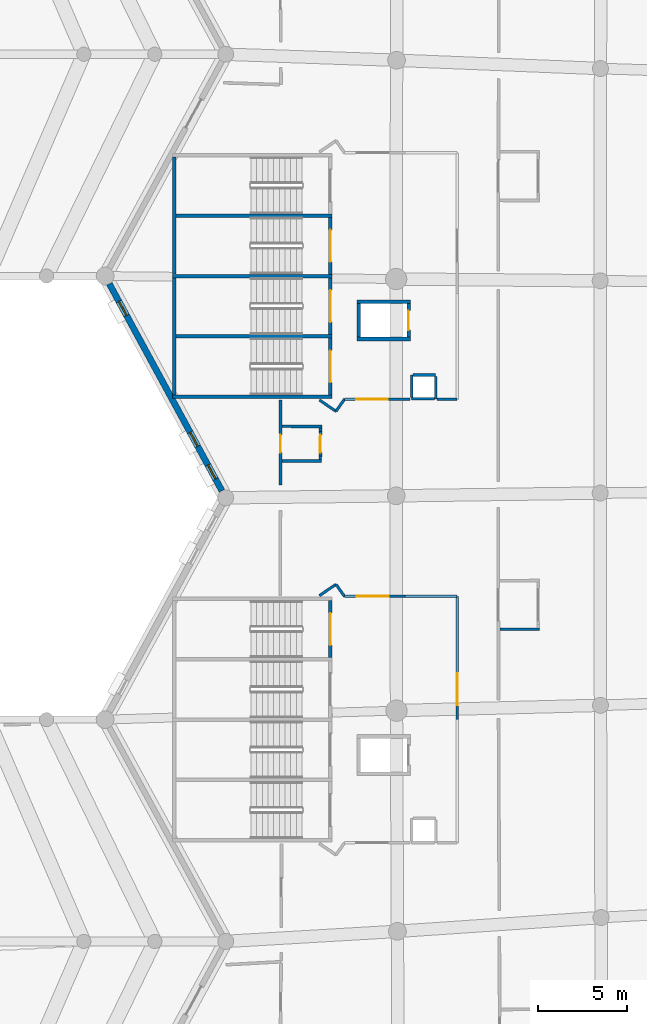
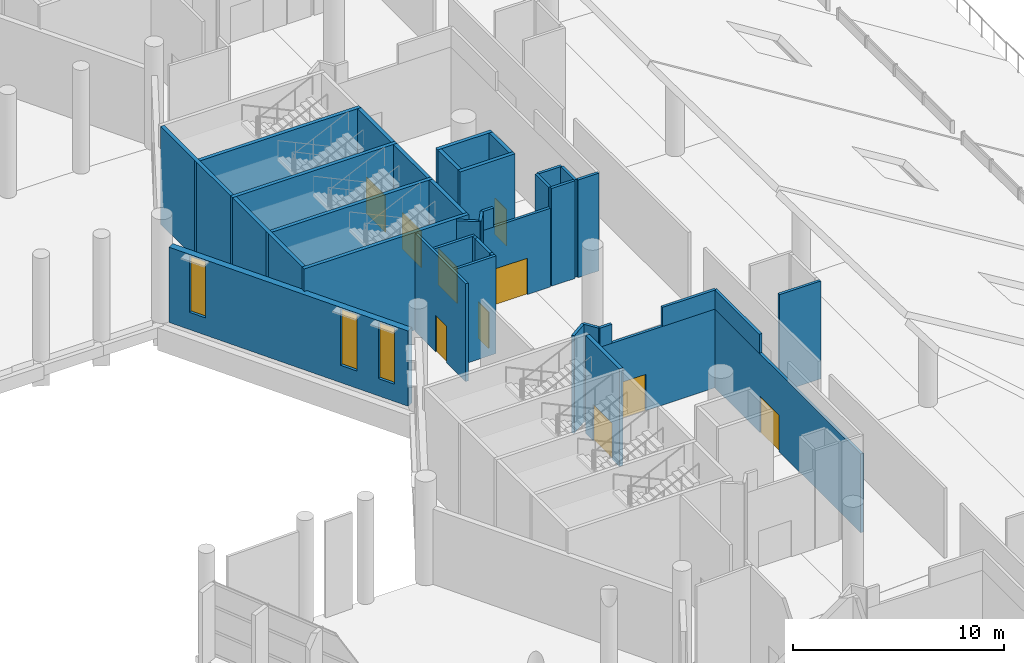
# One storey, part 146 of 249: 38 walls, 10 doors, 3 windows, 13 openings.
"""IFC4 building model written with IfcOpenShell, lengths in metres."""

from ifc_helpers import new_model, si_unit, direction, frame, frame_2d, origin, place, context, subcontext, project, spatial, rectangle, extrude, material, layer, layer_set, type_object, element, fill, save


model = new_model("IFC4")

# Units and contexts
model_context = context("Model", 3, precision=1e-05, world=origin(), true_north=direction((0.0, 1.0)))
body_context = subcontext(model_context, "Body", "Model", "MODEL_VIEW")
ifc_project = project(units=[si_unit("LENGTHUNIT", "METRE"), si_unit("AREAUNIT", "SQUARE_METRE"), si_unit("VOLUMEUNIT", "CUBIC_METRE"), si_unit("PLANEANGLEUNIT", "RADIAN"), si_unit("MASSUNIT", "GRAM", prefix="KILO")], contexts=[model_context])

# Site, building, storey
site_placement = place(None, origin())
site = spatial("IfcSite", under=ifc_project, at=site_placement, CompositionType="ELEMENT")
building_placement = place(site_placement, origin())
building = spatial("IfcBuilding", under=site, at=building_placement, Name="Meseta Stadium", CompositionType="ELEMENT")
storey_placement = place(building_placement, frame((0.0, 0.0, 12.0)))
storey = spatial("IfcBuildingStorey", under=building, at=storey_placement, Name="L02", CompositionType="ELEMENT", Elevation=12.0)

# Walls
ifc_material_1 = material(Name="Concrete C40/50", Category="concrete")
ifc_layer_1 = layer(ifc_material_1, 0.199951171875)
ifc_layer_set_1 = layer_set([ifc_layer_1], Name="Core divider wall 200")
wall_type_1 = type_object("IfcWallType", Name="Core divider wall 200", PredefinedType="SHEAR", material=ifc_layer_set_1)
for number, where, z_axis, x_axis, name in (
    (1, (-97.60009765625, 9.64990234375, 0.0), (0.0, 0.0, 1.0), (1.0, 0.0, 0.0), "Core 17 L02 stair A divider wall"),
    (2, (-97.60009765625, 2.85009765625, 0.0), (0.0, 0.0, 1.0), (1.0, 0.0, 0.0), "Core 17 L02 stair B divider wall"),
):
    element("IfcWall", number, at=place(storey_placement, frame(where, z_axis=z_axis, x_axis=x_axis)), inside=storey, type_object=wall_type_1, Name=name, PredefinedType="SHEAR", context=body_context, shape_type="SweptSolid", body=[
        extrude(rectangle(XDim=9.0, YDim=0.199951171875, at=frame_2d((4.5, 0.0))), origin(), (0.0, 0.0, 1.0), 5.64990234375),
    ])
ifc_material_2 = material(Name="Concrete C40/50", Category="concrete")
ifc_layer_2 = layer(ifc_material_2, 0.199951171875)
ifc_layer_set_2 = layer_set([ifc_layer_2], Name="Core shaft wall 200")
wall_type_2 = type_object("IfcWallType", Name="Core shaft wall 200", PredefinedType="SHEAR", material=ifc_layer_set_2)
for number, where, z_axis, x_axis, name in (
    (3, (-97.60009765625, 6.25, 0.0), (0.0, 0.0, 1.0), (1.0, 0.0, 0.0), "Core 17 L02 stair wall shared"),
    (4, (-97.60009765625, -0.550048828125, 0.0), (0.0, 0.0, 1.0), (1.0, 0.0, 0.0), "Core 17 L02 stair wall B-side"),
):
    element("IfcWall", number, at=place(storey_placement, frame(where, z_axis=z_axis, x_axis=x_axis)), inside=storey, type_object=wall_type_2, Name=name, PredefinedType="SHEAR", context=body_context, shape_type="SweptSolid", body=[
        extrude(rectangle(XDim=9.0, YDim=0.199951171875, at=frame_2d((4.5, 0.0))), origin(), (0.0, 0.0, 1.0), 5.64990234375),
    ])
for number, where, z_axis, x_axis, name in (
    (5, (-97.5, 12.949951171875, 0.0), (0.0, 0.0, 1.0), (0.0, -1.0, 0.0), "Core 17 L02 stair A outer end wall"),
    (6, (-97.5, 6.14990234375, 0.0), (0.0, 0.0, 1.0), (0.0, -1.0, 0.0), "Core 17 L02 stair B outer end wall"),
):
    element("IfcWall", number, at=place(storey_placement, frame(where, z_axis=z_axis, x_axis=x_axis)), inside=storey, type_object=wall_type_2, Name=name, PredefinedType="SHEAR", context=body_context, shape_type="SweptSolid", body=[
        extrude(rectangle(XDim=6.599853515625, YDim=0.199951171875, at=frame_2d((3.2998046875, 0.0))), origin(), (0.0, 0.0, 1.0), 5.64990234375),
    ])

# Wall, opening, door
wall_1_placement = place(storey_placement, frame((-88.699951171875, 9.550048828125, 0.0), z_axis=(0.0, 0.0, 1.0), x_axis=(0.0, -1.0, 0.0)))
wall_1 = element("IfcWall", 7, at=wall_1_placement, inside=storey, type_object=wall_type_2, Name="Core 17 L02 stair A2 inner end wall", PredefinedType="SHEAR", context=body_context, shape_type="SweptSolid", body=[
    extrude(rectangle(XDim=3.199951171875, YDim=0.199951171875, at=frame_2d((1.60009765625, 0.0))), origin(), (0.0, 0.0, 1.0), 5.64990234375),
])
opening_1_placement = place(wall_1_placement, frame((0.699951171875, 0.0, 0.0)))
opening_1 = element("IfcOpeningElement", 8, at=opening_1_placement, cuts=wall_1, Name="Opening D238", PredefinedType="OPENING", context=body_context, shape_type="SweptSolid", body=[
    extrude(rectangle(XDim=1.800048828125, YDim=2.10009765625, at=frame_2d((0.89990234375, 1.050048828125))), frame((0.0, 0.10986328125, 0.0), z_axis=(0.0, -1.0, 0.0), x_axis=(1.0, 0.0, 0.0)), (0.0, 0.0, 1.0), 0.219970703125),
])
ifc_material_3 = material(Name="Steel", Category="steel")
door_type_1 = type_object("IfcDoorType", Name="Stair door 1800x2100", OperationType="DOUBLE_DOOR_SINGLE_SWING", PredefinedType="DOOR", material=ifc_material_3)
door_1_placement = place(opening_1_placement, origin())
door_1 = element("IfcDoor", 9, at=door_1_placement, inside=storey, type_object=door_type_1, Name="Stair A2 door 17 L02", OperationType="DOUBLE_DOOR_SINGLE_SWING", OverallHeight=2.10009765625, OverallWidth=1.800048828125, PredefinedType="DOOR", context=body_context, shape_type="SweptSolid", body=[
    extrude(rectangle(XDim=1.800048828125, YDim=2.10009765625, at=frame_2d((0.89990234375, 1.050048828125))), frame((0.0, 0.02490234375, 0.0), z_axis=(0.0, -1.0, 0.0), x_axis=(1.0, 0.0, 0.0)), (0.0, 0.0, 1.0), 0.050048828125),
])
fill(opening_1, door_1)

wall_2_placement = place(storey_placement, frame((-88.699951171875, 6.14990234375, 0.0), z_axis=(0.0, 0.0, 1.0), x_axis=(0.0, -1.0, 0.0)))
wall_2 = element("IfcWall", 10, at=wall_2_placement, inside=storey, type_object=wall_type_2, Name="Core 17 L02 stair B1 inner end wall", PredefinedType="SHEAR", context=body_context, shape_type="SweptSolid", body=[
    extrude(rectangle(XDim=3.199951171875, YDim=0.199951171875, at=frame_2d((1.60009765625, 0.0))), origin(), (0.0, 0.0, 1.0), 5.64990234375),
])
opening_2_placement = place(wall_2_placement, frame((0.699951171875, 0.0, 0.0)))
opening_2 = element("IfcOpeningElement", 11, at=opening_2_placement, cuts=wall_2, Name="Opening D239", PredefinedType="OPENING", context=body_context, shape_type="SweptSolid", body=[
    extrude(rectangle(XDim=1.800048828125, YDim=2.10009765625, at=frame_2d((0.89990234375, 1.050048828125))), frame((0.0, 0.10986328125, 0.0), z_axis=(0.0, -1.0, 0.0), x_axis=(1.0, 0.0, 0.0)), (0.0, 0.0, 1.0), 0.219970703125),
])
door_2_placement = place(opening_2_placement, origin())
door_2 = element("IfcDoor", 12, at=door_2_placement, inside=storey, type_object=door_type_1, Name="Stair B1 door 17 L02", OperationType="DOUBLE_DOOR_SINGLE_SWING", OverallHeight=2.10009765625, OverallWidth=1.800048828125, PredefinedType="DOOR", context=body_context, shape_type="SweptSolid", body=[
    extrude(rectangle(XDim=1.800048828125, YDim=2.10009765625, at=frame_2d((0.89990234375, 1.050048828125))), frame((0.0, 0.02490234375, 0.0), z_axis=(0.0, -1.0, 0.0), x_axis=(1.0, 0.0, 0.0)), (0.0, 0.0, 1.0), 0.050048828125),
])
fill(opening_2, door_2)

wall_3_placement = place(storey_placement, frame((-88.699951171875, 2.75, 0.0), z_axis=(0.0, 0.0, 1.0), x_axis=(0.0, -1.0, 0.0)))
wall_3 = element("IfcWall", 13, at=wall_3_placement, inside=storey, type_object=wall_type_2, Name="Core 17 L02 stair B2 inner end wall", PredefinedType="SHEAR", context=body_context, shape_type="SweptSolid", body=[
    extrude(rectangle(XDim=3.199951171875, YDim=0.199951171875, at=frame_2d((1.60009765625, 0.0))), origin(), (0.0, 0.0, 1.0), 5.64990234375),
])
opening_3_placement = place(wall_3_placement, frame((0.699951171875, 0.0, 0.0)))
opening_3 = element("IfcOpeningElement", 14, at=opening_3_placement, cuts=wall_3, Name="Opening D240", PredefinedType="OPENING", context=body_context, shape_type="SweptSolid", body=[
    extrude(rectangle(XDim=1.800048828125, YDim=2.10009765625, at=frame_2d((0.89990234375, 1.050048828125))), frame((0.0, 0.10986328125, 0.0), z_axis=(0.0, -1.0, 0.0), x_axis=(1.0, 0.0, 0.0)), (0.0, 0.0, 1.0), 0.219970703125),
])
door_3_placement = place(opening_3_placement, origin())
door_3 = element("IfcDoor", 15, at=door_3_placement, inside=storey, type_object=door_type_1, Name="Stair B2 door 17 L02", OperationType="DOUBLE_DOOR_SINGLE_SWING", OverallHeight=2.10009765625, OverallWidth=1.800048828125, PredefinedType="DOOR", context=body_context, shape_type="SweptSolid", body=[
    extrude(rectangle(XDim=1.800048828125, YDim=2.10009765625, at=frame_2d((0.89990234375, 1.050048828125))), frame((0.0, 0.02490234375, 0.0), z_axis=(0.0, -1.0, 0.0), x_axis=(1.0, 0.0, 0.0)), (0.0, 0.0, 1.0), 0.050048828125),
])
fill(opening_3, door_3)

# Walls
for number, where, z_axis, x_axis, name in (
    (16, (-87.199951171875, 4.800048828125, 0.0), (0.0, 0.0, 1.0), (1.0, 0.0, 0.0), "Core 17 L02 lift shaft wall left"),
    (17, (-87.199951171875, 2.699951171875, 0.0), (0.0, 0.0, 1.0), (1.0, 0.0, 0.0), "Core 17 L02 lift shaft wall right"),
):
    element("IfcWall", number, at=place(storey_placement, frame(where, z_axis=z_axis, x_axis=x_axis)), inside=storey, type_object=wall_type_2, Name=name, PredefinedType="SHEAR", context=body_context, shape_type="SweptSolid", body=[
        extrude(rectangle(XDim=3.0, YDim=0.199951171875, at=frame_2d((1.5, 0.0))), origin(), (0.0, 0.0, 1.0), 5.64990234375),
    ])
wall_4_placement = place(storey_placement, frame((-87.10009765625, 4.699951171875, 0.0), z_axis=(0.0, 0.0, 1.0), x_axis=(0.0, -1.0, 0.0)))
element("IfcWall", 18, at=wall_4_placement, inside=storey, type_object=wall_type_2, Name="Core 17 L02 lift shaft back wall", PredefinedType="SHEAR", context=body_context, shape_type="SweptSolid", body=[
    extrude(rectangle(XDim=1.89990234375, YDim=0.199951171875, at=frame_2d((0.949951171875, 0.0))), origin(), (0.0, 0.0, 1.0), 5.64990234375),
])

# Wall, opening, door
wall_5_placement = place(storey_placement, frame((-84.300048828125, 4.699951171875, 0.0), z_axis=(0.0, 0.0, 1.0), x_axis=(0.0, -1.0, 0.0)))
wall_5 = element("IfcWall", 19, at=wall_5_placement, inside=storey, type_object=wall_type_2, Name="Core 17 L02 lift shaft front wall", PredefinedType="SHEAR", context=body_context, shape_type="SweptSolid", body=[
    extrude(rectangle(XDim=1.89990234375, YDim=0.199951171875, at=frame_2d((0.949951171875, 0.0))), origin(), (0.0, 0.0, 1.0), 5.64990234375),
])
opening_4_placement = place(wall_5_placement, frame((0.39990234375, 0.0, 0.0)))
opening_4 = element("IfcOpeningElement", 20, at=opening_4_placement, cuts=wall_5, Name="Opening LD94", PredefinedType="OPENING", context=body_context, shape_type="SweptSolid", body=[
    extrude(rectangle(XDim=1.10009765625, YDim=2.10009765625, at=frame_2d((0.550048828125, 1.050048828125))), frame((0.0, 0.10986328125, 0.0), z_axis=(0.0, -1.0, 0.0), x_axis=(1.0, 0.0, 0.0)), (0.0, 0.0, 1.0), 0.219970703125),
])
ifc_material_4 = material(Name="Steel", Category="steel")
door_type_2 = type_object("IfcDoorType", Name="Lift landing door 1100x2100", OperationType="SLIDING_TO_LEFT", PredefinedType="DOOR", material=ifc_material_4)
door_4_placement = place(opening_4_placement, origin())
door_4 = element("IfcDoor", 21, at=door_4_placement, inside=storey, type_object=door_type_2, Name="Lift landing door LD94", OperationType="SLIDING_TO_RIGHT", OverallHeight=2.10009765625, OverallWidth=1.10009765625, PredefinedType="DOOR", context=body_context, shape_type="SweptSolid", body=[
    extrude(rectangle(XDim=1.10009765625, YDim=2.10009765625, at=frame_2d((0.550048828125, 1.050048828125))), frame((0.0, 0.02490234375, 0.0), z_axis=(0.0, -1.0, 0.0), x_axis=(1.0, 0.0, 0.0)), (0.0, 0.0, 1.0), 0.050048828125),
])
fill(opening_4, door_4)

wall_6_placement = place(storey_placement, frame((-88.699951171875, -12.050048828125, 0.0), z_axis=(0.0, 0.0, 1.0), x_axis=(0.0, -1.0, 0.0)))
wall_6 = element("IfcWall", 22, at=wall_6_placement, inside=storey, type_object=wall_type_2, Name="Core 18 L02 stair A1 inner end wall", PredefinedType="SHEAR", context=body_context, shape_type="SweptSolid", body=[
    extrude(rectangle(XDim=3.199951171875, YDim=0.199951171875, at=frame_2d((1.60009765625, 0.0))), origin(), (0.0, 0.0, 1.0), 5.64990234375),
])
opening_5_placement = place(wall_6_placement, frame((0.699951171875, 0.0, 0.0)))
opening_5 = element("IfcOpeningElement", 23, at=opening_5_placement, cuts=wall_6, Name="Opening D253", PredefinedType="OPENING", context=body_context, shape_type="SweptSolid", body=[
    extrude(rectangle(XDim=1.800048828125, YDim=2.10009765625, at=frame_2d((0.89990234375, 1.050048828125))), frame((0.0, 0.10986328125, 0.0), z_axis=(0.0, -1.0, 0.0), x_axis=(1.0, 0.0, 0.0)), (0.0, 0.0, 1.0), 0.219970703125),
])
door_5_placement = place(opening_5_placement, origin())
door_5 = element("IfcDoor", 24, at=door_5_placement, inside=storey, type_object=door_type_1, Name="Stair A1 door 18 L02", OperationType="DOUBLE_DOOR_SINGLE_SWING", OverallHeight=2.10009765625, OverallWidth=1.800048828125, PredefinedType="DOOR", context=body_context, shape_type="SweptSolid", body=[
    extrude(rectangle(XDim=1.800048828125, YDim=2.10009765625, at=frame_2d((0.89990234375, 1.050048828125))), frame((0.0, 0.02490234375, 0.0), z_axis=(0.0, -1.0, 0.0), x_axis=(1.0, 0.0, 0.0)), (0.0, 0.0, 1.0), 0.050048828125),
])
fill(opening_5, door_5)

ifc_material_5 = material(Name="Masonry blockwork", Category="masonry")
ifc_layer_3 = layer(ifc_material_5, 0.14990234375)
ifc_layer_set_3 = layer_set([ifc_layer_3], Name="Partition 150")
wall_type_3 = type_object("IfcWallType", Name="Partition 150", PredefinedType="PARTITIONING", material=ifc_layer_set_3)
wall_7_placement = place(storey_placement, frame((-91.51171875, -0.75, 0.0), z_axis=(0.0, 0.0, 1.0), x_axis=(-0.001174067593, -0.999999310782, 0.0)))
wall_7 = element("IfcWall", 25, at=wall_7_placement, inside=storey, type_object=wall_type_3, Name="Partition L02 L02-cell16-2-0", PredefinedType="PARTITIONING", context=body_context, shape_type="SweptSolid", body=[
    extrude(rectangle(XDim=4.78271484375, YDim=0.14990234375, at=frame_2d((2.391357421875, 0.0))), origin(), (0.0, 0.0, 1.0), 5.64990234375),
])
opening_6_placement = place(wall_7_placement, frame((1.949951171875, 0.0, 0.0)))
opening_6 = element("IfcOpeningElement", 26, at=opening_6_placement, cuts=wall_7, Name="Opening D707", PredefinedType="OPENING", context=body_context, shape_type="SweptSolid", body=[
    extrude(rectangle(XDim=1.0, YDim=2.10009765625, at=frame_2d((0.5, 1.050048828125))), frame((0.0, 0.0849609375, 0.0), z_axis=(0.0, -1.0, 0.0), x_axis=(1.0, 0.0, 0.0)), (0.0, 0.0, 1.0), 0.169921875),
])
ifc_material_6 = material(Name="Steel", Category="steel")
door_type_3 = type_object("IfcDoorType", Name="Fire door 1000x2100 EI2 120", OperationType="NOTDEFINED", PredefinedType="DOOR", material=ifc_material_6)
door_6_placement = place(opening_6_placement, origin())
door_6 = element("IfcDoor", 27, at=door_6_placement, inside=storey, type_object=door_type_3, Name="Door D707", OperationType="SINGLE_SWING_LEFT", OverallHeight=2.10009765625, OverallWidth=1.0, PredefinedType="DOOR", context=body_context, shape_type="SweptSolid", body=[
    extrude(rectangle(XDim=1.0, YDim=2.10009765625, at=frame_2d((0.5, 1.050048828125))), frame((0.0, 0.02490234375, 0.0), z_axis=(0.0, -1.0, 0.0), x_axis=(1.0, 0.0, 0.0)), (0.0, 0.0, 1.0), 0.050048828125),
])
fill(opening_6, door_6)

# Walls
wall_8_placement = place(storey_placement, frame((-84.125, 0.675048828125, 0.0), z_axis=(0.0, 0.0, 1.0), x_axis=(0.0, -1.0, 0.0)))
element("IfcWall", 28, at=wall_8_placement, inside=storey, type_object=wall_type_3, Name="Pressurisation shaft wall L02 core 17", PredefinedType="PARTITIONING", context=body_context, shape_type="SweptSolid", body=[
    extrude(rectangle(XDim=1.275146484375, YDim=0.14990234375, at=frame_2d((0.6376953125, 0.0))), origin(), (0.0, 0.0, 1.0), 5.64990234375),
])
wall_9_placement = place(storey_placement, frame((-84.125, -0.675048828125, 0.0), z_axis=(0.0, 0.0, 1.0), x_axis=(1.0, 0.0, 0.0)))
element("IfcWall", 29, at=wall_9_placement, inside=storey, type_object=wall_type_3, Name="Pressurisation shaft wall L02 core 17", PredefinedType="PARTITIONING", context=body_context, shape_type="SweptSolid", body=[
    extrude(rectangle(XDim=1.27490234375, YDim=0.14990234375, at=frame_2d((0.637451171875, 0.0))), origin(), (0.0, 0.0, 1.0), 5.64990234375),
])
for number, where, z_axis, x_axis, name in (
    (30, (-82.77490234375, -0.675048828125, 0.0), (0.0, 0.0, 1.0), (0.0, 1.0, 0.0), "Pressurisation shaft wall L02 core 17"),
    (31, (-82.77490234375, 0.675048828125, 0.0), (0.0, 0.0, 1.0), (-1.0, 0.0, 0.0), "Pressurisation shaft wall L02 core 17"),
):
    element("IfcWall", number, at=place(storey_placement, frame(where, z_axis=z_axis, x_axis=x_axis)), inside=storey, type_object=wall_type_3, Name=name, PredefinedType="PARTITIONING", context=body_context, shape_type="SweptSolid", body=[
        extrude(rectangle(XDim=1.275146484375, YDim=0.14990234375, at=frame_2d((0.6376953125, 0.0))), origin(), (0.0, 0.0, 1.0), 5.64990234375),
    ])
wall_10_placement = place(storey_placement, frame((-89.31982421875, -0.739501953125, 0.0), z_axis=(0.0, 0.0, 1.0), x_axis=(0.826749248939, -0.562570599462, 0.0)))
element("IfcWall", 32, at=wall_10_placement, inside=storey, type_object=wall_type_3, Name="Stair vestibule wall L02 core 17", PredefinedType="PARTITIONING", context=body_context, shape_type="SweptSolid", body=[
    extrude(rectangle(XDim=1.12744140625, YDim=0.14990234375, at=frame_2d((0.563720703125, 0.0))), origin(), (0.0, 0.0, 1.0), 5.64990234375),
])
wall_11_placement = place(storey_placement, frame((-88.3876953125, -1.373779296875, 0.0), z_axis=(0.0, 0.0, 1.0), x_axis=(0.5761634622, 0.817334487726, 0.0)))
element("IfcWall", 33, at=wall_11_placement, inside=storey, type_object=wall_type_3, Name="Stair vestibule wall L02 core 17", PredefinedType="PARTITIONING", context=body_context, shape_type="SweptSolid", body=[
    extrude(rectangle(XDim=0.830078125, YDim=0.14990234375, at=frame_2d((0.4150390625, 0.0))), origin(), (0.0, 0.0, 1.0), 5.64990234375),
])

# Wall, opening, door
wall_12_placement = place(storey_placement, frame((-87.909423828125, -0.6953125, 0.0), z_axis=(0.0, 0.0, 1.0), x_axis=(0.999999997827, 6.5919578e-05, 0.0)))
wall_12 = element("IfcWall", 34, at=wall_12_placement, inside=storey, type_object=wall_type_3, Name="Stair vestibule wall L02 core 17", PredefinedType="PARTITIONING", context=body_context, shape_type="SweptSolid", body=[
    extrude(rectangle(XDim=3.70361328125, YDim=0.14990234375, at=frame_2d((1.851806640625, 0.0))), origin(), (0.0, 0.0, 1.0), 4.550048828125),
])
opening_7_placement = place(wall_12_placement, frame((0.64990234375, 0.0, 0.0)))
opening_7 = element("IfcOpeningElement", 35, at=opening_7_placement, cuts=wall_12, Name="Opening D1011", PredefinedType="OPENING", context=body_context, shape_type="SweptSolid", body=[
    extrude(rectangle(XDim=1.800048828125, YDim=2.10009765625, at=frame_2d((0.89990234375, 1.050048828125))), frame((0.0, 0.0849609375, 0.0), z_axis=(0.0, -1.0, 0.0), x_axis=(1.0, 0.0, 0.0)), (0.0, 0.0, 1.0), 0.169921875),
])
ifc_material_7 = material(Name="Steel", Category="steel")
door_type_4 = type_object("IfcDoorType", Name="Fire double door 1800x2100 EI2 60", OperationType="DOUBLE_DOOR_SINGLE_SWING", PredefinedType="DOOR", material=ifc_material_7)
door_7_placement = place(opening_7_placement, origin())
door_7 = element("IfcDoor", 36, at=door_7_placement, inside=storey, type_object=door_type_4, Name="Stair vestibule door L02 core 17", OperationType="DOUBLE_DOOR_SINGLE_SWING", OverallHeight=2.10009765625, OverallWidth=1.800048828125, PredefinedType="DOOR", context=body_context, shape_type="SweptSolid", body=[
    extrude(rectangle(XDim=1.800048828125, YDim=2.10009765625, at=frame_2d((0.89990234375, 1.050048828125))), frame((0.0, 0.02490234375, 0.0), z_axis=(0.0, -1.0, 0.0), x_axis=(1.0, 0.0, 0.0)), (0.0, 0.0, 1.0), 0.050048828125),
])
fill(opening_7, door_7)

# Walls
wall_13_placement = place(storey_placement, frame((-87.909423828125, -0.6953125, 4.550048828125), z_axis=(0.0, 0.0, 1.0), x_axis=(1.0, 0.0, 0.0)))
element("IfcWall", 37, at=wall_13_placement, inside=storey, type_object=wall_type_3, Name="Stair vestibule wall L02 core 17", PredefinedType="PARTITIONING", context=body_context, shape_type="SweptSolid", body=[
    extrude(rectangle(XDim=0.599853515625, YDim=0.14990234375, at=frame_2d((0.2998046875, 0.0))), origin(), (0.0, 0.0, 1.0), 1.099853515625),
])
wall_14_placement = place(storey_placement, frame((-82.68994140625, -0.695068359375, 0.0), z_axis=(0.0, 0.0, 1.0), x_axis=(1.0, 0.0, 0.0)))
element("IfcWall", 38, at=wall_14_placement, inside=storey, type_object=wall_type_3, Name="Stair vestibule wall L02 core 17", PredefinedType="PARTITIONING", context=body_context, shape_type="SweptSolid", body=[
    extrude(rectangle(XDim=1.135009765625, YDim=0.14990234375, at=frame_2d((0.5673828125, 0.0))), origin(), (0.0, 0.0, 1.0), 5.64990234375),
])

# Wall, opening, door
wall_15_placement = place(storey_placement, frame((-81.554931640625, -25.695068359375, 0.0), z_axis=(0.0, 0.0, 1.0), x_axis=(0.0, 1.0, 0.0)))
wall_15 = element("IfcWall", 39, at=wall_15_placement, inside=storey, type_object=wall_type_3, Name="Stair vestibule wall L02 core 18", PredefinedType="PARTITIONING", context=body_context, shape_type="SweptSolid", body=[
    extrude(rectangle(XDim=13.89013671875, YDim=0.14990234375, at=frame_2d((6.945068359375, 0.0))), origin(), (0.0, 0.0, 1.0), 4.550048828125),
])
opening_8_placement = place(wall_15_placement, frame((7.75, 0.0, 0.0)))
opening_8 = element("IfcOpeningElement", 40, at=opening_8_placement, cuts=wall_15, Name="Opening D1028", PredefinedType="OPENING", context=body_context, shape_type="SweptSolid", body=[
    extrude(rectangle(XDim=1.800048828125, YDim=2.10009765625, at=frame_2d((0.89990234375, 1.050048828125))), frame((0.0, 0.0849609375, 0.0), z_axis=(0.0, -1.0, 0.0), x_axis=(1.0, 0.0, 0.0)), (0.0, 0.0, 1.0), 0.169921875),
])
door_8_placement = place(opening_8_placement, origin())
door_8 = element("IfcDoor", 41, at=door_8_placement, inside=storey, type_object=door_type_4, Name="Stair vestibule door L02 core 18", OperationType="DOUBLE_DOOR_SINGLE_SWING", OverallHeight=2.10009765625, OverallWidth=1.800048828125, PredefinedType="DOOR", context=body_context, shape_type="SweptSolid", body=[
    extrude(rectangle(XDim=1.800048828125, YDim=2.10009765625, at=frame_2d((0.89990234375, 1.050048828125))), frame((0.0, 0.02490234375, 0.0), z_axis=(0.0, -1.0, 0.0), x_axis=(1.0, 0.0, 0.0)), (0.0, 0.0, 1.0), 0.050048828125),
])
fill(opening_8, door_8)

# Wall
wall_16_placement = place(storey_placement, frame((-81.554931640625, -16.094970703125, 4.550048828125), z_axis=(0.0, 0.0, 1.0), x_axis=(0.0, 1.0, 0.0)))
element("IfcWall", 42, at=wall_16_placement, inside=storey, type_object=wall_type_3, Name="Stair vestibule wall L02 core 18", PredefinedType="PARTITIONING", context=body_context, shape_type="SweptSolid", body=[
    extrude(rectangle(XDim=4.2900390625, YDim=0.14990234375, at=frame_2d((2.14501953125, 0.0))), origin(), (0.0, 0.0, 1.0), 1.099853515625),
])

# Wall, opening, door
wall_17_placement = place(storey_placement, frame((-81.554931640625, -11.804931640625, 0.0), z_axis=(0.0, 0.0, 1.0), x_axis=(-1.0, 0.0, 0.0)))
wall_17 = element("IfcWall", 43, at=wall_17_placement, inside=storey, type_object=wall_type_3, Name="Stair vestibule wall L02 core 18", PredefinedType="PARTITIONING", context=body_context, shape_type="SweptSolid", body=[
    extrude(rectangle(XDim=6.354248046875, YDim=0.14990234375, at=frame_2d((3.17724609375, 0.0))), origin(), (0.0, 0.0, 1.0), 4.550048828125),
])
opening_9_placement = place(wall_17_placement, frame((3.85009765625, 0.0, 0.0)))
opening_9 = element("IfcOpeningElement", 44, at=opening_9_placement, cuts=wall_17, Name="Opening D1014", PredefinedType="OPENING", context=body_context, shape_type="SweptSolid", body=[
    extrude(rectangle(XDim=1.800048828125, YDim=2.10009765625, at=frame_2d((0.89990234375, 1.050048828125))), frame((0.0, 0.0849609375, 0.0), z_axis=(0.0, -1.0, 0.0), x_axis=(1.0, 0.0, 0.0)), (0.0, 0.0, 1.0), 0.169921875),
])
door_9_placement = place(opening_9_placement, origin())
door_9 = element("IfcDoor", 45, at=door_9_placement, inside=storey, type_object=door_type_4, Name="Stair vestibule door L02 core 18", OperationType="DOUBLE_DOOR_SINGLE_SWING", OverallHeight=2.10009765625, OverallWidth=1.800048828125, PredefinedType="DOOR", context=body_context, shape_type="SweptSolid", body=[
    extrude(rectangle(XDim=1.800048828125, YDim=2.10009765625, at=frame_2d((0.89990234375, 1.050048828125))), frame((0.0, 0.02490234375, 0.0), z_axis=(0.0, -1.0, 0.0), x_axis=(1.0, 0.0, 0.0)), (0.0, 0.0, 1.0), 0.050048828125),
])
fill(opening_9, door_9)

# Walls
wall_18_placement = place(storey_placement, frame((-81.554931640625, -11.804931640625, 4.550048828125), z_axis=(0.0, 0.0, 1.0), x_axis=(-1.0, 0.0, 0.0)))
element("IfcWall", 46, at=wall_18_placement, inside=storey, type_object=wall_type_3, Name="Stair vestibule wall L02 core 18", PredefinedType="PARTITIONING", context=body_context, shape_type="SweptSolid", body=[
    extrude(rectangle(XDim=2.932861328125, YDim=0.14990234375, at=frame_2d((1.46630859375, 0.0))), origin(), (0.0, 0.0, 1.0), 1.099853515625),
])
wall_19_placement = place(storey_placement, frame((-87.2548828125, -11.804931640625, 4.550048828125), z_axis=(0.0, 0.0, 1.0), x_axis=(-1.0, 0.0, 0.0)))
element("IfcWall", 47, at=wall_19_placement, inside=storey, type_object=wall_type_3, Name="Stair vestibule wall L02 core 18", PredefinedType="PARTITIONING", context=body_context, shape_type="SweptSolid", body=[
    extrude(rectangle(XDim=0.654296875, YDim=0.14990234375, at=frame_2d((0.3271484375, 0.0))), origin(), (0.0, 0.0, 1.0), 1.099853515625),
])
wall_20_placement = place(storey_placement, frame((-87.9091796875, -11.804931640625, 0.0), z_axis=(0.0, 0.0, 1.0), x_axis=(-0.575573582652, 0.81774999294, 0.0)))
element("IfcWall", 48, at=wall_20_placement, inside=storey, type_object=wall_type_3, Name="Stair vestibule wall L02 core 18", PredefinedType="PARTITIONING", context=body_context, shape_type="SweptSolid", body=[
    extrude(rectangle(XDim=0.82958984375, YDim=0.14990234375, at=frame_2d((0.414794921875, 0.0))), origin(), (0.0, 0.0, 1.0), 5.64990234375),
])
wall_21_placement = place(storey_placement, frame((-88.38671875, -11.12646484375, 0.0), z_axis=(0.0, 0.0, 1.0), x_axis=(-0.827055308354, -0.562120553728, 0.0)))
element("IfcWall", 49, at=wall_21_placement, inside=storey, type_object=wall_type_3, Name="Stair vestibule wall L02 core 18", PredefinedType="PARTITIONING", context=body_context, shape_type="SweptSolid", body=[
    extrude(rectangle(XDim=1.1279296875, YDim=0.14990234375, at=frame_2d((0.56396484375, 0.0))), origin(), (0.0, 0.0, 1.0), 5.64990234375),
])
for number, where, z_axis, x_axis, name in (
    (50, (-79.15771484375, -13.6650390625, 0.0), (0.0, 0.0, 1.0), (0.999999711543, 0.000759548392, 0.0), "Partition L02 L02-cell16-0-0 vestibule"),
    (51, (-91.4384765625, -2.22509765625, 0.0), (0.0, 0.0, 1.0), (0.999999287688, -0.001193575539, 0.0), "Partition L02 L02-cell16-2-0 vestibule"),
    (52, (-91.44091796875, -4.175048828125, 0.0), (0.0, 0.0, 1.0), (0.999999287688, -0.001193575539, 0.0), "Partition L02 L02-cell16-2-0 vestibule"),
):
    element("IfcWall", number, at=place(storey_placement, frame(where, z_axis=z_axis, x_axis=x_axis)), inside=storey, type_object=wall_type_3, Name=name, PredefinedType="PARTITIONING", context=body_context, shape_type="SweptSolid", body=[
        extrude(rectangle(XDim=2.25, YDim=0.14990234375, at=frame_2d((1.125, 0.0))), origin(), (0.0, 0.0, 1.0), 5.64990234375),
    ])
wall_22_placement = place(storey_placement, frame((-89.263427734375, -2.302734375, 0.0), z_axis=(0.0, 0.0, 1.0), x_axis=(-0.001221000311, -0.999999254579, 0.0)))
element("IfcWall", 53, at=wall_22_placement, inside=storey, type_object=wall_type_3, Name="Partition L02 L02-cell16-2-0 vestibule", PredefinedType="PARTITIONING", context=body_context, shape_type="SweptSolid", body=[
    extrude(rectangle(XDim=0.199951171875, YDim=0.14990234375, at=frame_2d((0.10009765625, 0.0))), origin(), (0.0, 0.0, 1.0), 5.64990234375),
])

# Wall, opening, door
wall_23_placement = place(storey_placement, frame((-89.263671875, -2.502685546875, 0.0), z_axis=(0.0, 0.0, 1.0), x_axis=(-0.001220787371, -0.999999254839, 0.0)))
wall_23 = element("IfcWall", 54, at=wall_23_placement, inside=storey, type_object=wall_type_3, Name="Partition L02 L02-cell16-2-0 vestibule", PredefinedType="PARTITIONING", context=body_context, shape_type="SweptSolid", body=[
    extrude(rectangle(XDim=1.39990234375, YDim=0.14990234375, at=frame_2d((0.699951171875, 0.0))), origin(), (0.0, 0.0, 1.0), 5.64990234375),
])
opening_10_placement = place(wall_23_placement, frame((0.199951171875, 0.0, 0.0)))
opening_10 = element("IfcOpeningElement", 55, at=opening_10_placement, cuts=wall_23, Name="Opening D929", PredefinedType="OPENING", context=body_context, shape_type="SweptSolid", body=[
    extrude(rectangle(XDim=1.0, YDim=2.10009765625, at=frame_2d((0.5, 1.050048828125))), frame((0.0, 0.0849609375, 0.0), z_axis=(0.0, -1.0, 0.0), x_axis=(1.0, 0.0, 0.0)), (0.0, 0.0, 1.0), 0.169921875),
])
ifc_material_8 = material(Name="Steel", Category="steel")
door_type_5 = type_object("IfcDoorType", Name="Fire door 1000x2100 EI2 60", OperationType="NOTDEFINED", PredefinedType="DOOR", material=ifc_material_8)
door_10_placement = place(opening_10_placement, origin())
door_10 = element("IfcDoor", 56, at=door_10_placement, inside=storey, type_object=door_type_5, Name="Vestibule door L02 L02-cell16-2-0", OperationType="SINGLE_SWING_LEFT", OverallHeight=2.10009765625, OverallWidth=1.0, PredefinedType="DOOR", context=body_context, shape_type="SweptSolid", body=[
    extrude(rectangle(XDim=1.0, YDim=2.10009765625, at=frame_2d((0.5, 1.050048828125))), frame((0.0, 0.02490234375, 0.0), z_axis=(0.0, -1.0, 0.0), x_axis=(1.0, 0.0, 0.0)), (0.0, 0.0, 1.0), 0.050048828125),
])
fill(opening_10, door_10)

# Wall
wall_24_placement = place(storey_placement, frame((-89.265380859375, -3.902587890625, 0.0), z_axis=(0.0, 0.0, 1.0), x_axis=(-0.001219511288, -0.999999256396, 0.0)))
element("IfcWall", 57, at=wall_24_placement, inside=storey, type_object=wall_type_3, Name="Partition L02 L02-cell16-2-0 vestibule", PredefinedType="PARTITIONING", context=body_context, shape_type="SweptSolid", body=[
    extrude(rectangle(XDim=0.2001953125, YDim=0.14990234375, at=frame_2d((0.10009765625, 0.0))), origin(), (0.0, 0.0, 1.0), 5.64990234375),
])

# Wall, openings, windows
ifc_material_9 = material(Name="White precast concrete C40/50", Category="concrete")
ifc_layer_4 = layer(ifc_material_9, 0.35009765625)
ifc_layer_set_4 = layer_set([ifc_layer_4], Name="Pleated panel wall 350 gate")
wall_type_4 = type_object("IfcWallType", Name="Pleated panel wall 350 gate", PredefinedType="SOLIDWALL", material=ifc_layer_set_4)
wall_25_placement = place(storey_placement, frame((-94.81494140625, -5.854736328125, 0.0), z_axis=(0.0, 0.0, 1.0), x_axis=(-0.477867771117, 0.878431780691, 0.0)))
wall_25 = element("IfcWall", 58, at=wall_25_placement, inside=storey, type_object=wall_type_4, Name="Pleated facade panel L02 F32", PredefinedType="SOLIDWALL", context=body_context, shape_type="SweptSolid", body=[
    extrude(rectangle(XDim=13.2802734375, YDim=0.35009765625, at=frame_2d((6.64013671875, 0.0))), origin(), (0.0, 0.0, 1.0), 4.35009765625),
])
opening_11_placement = place(wall_25_placement, frame((0.750244140625, 0.0, 1.0)))
opening_11 = element("IfcOpeningElement", 59, at=opening_11_placement, cuts=wall_25, Name="Opening W006", PredefinedType="OPENING", context=body_context, shape_type="SweptSolid", body=[
    extrude(rectangle(XDim=0.89990234375, YDim=3.25, at=frame_2d((0.449951171875, 1.625))), frame((0.0, 0.18505859375, 0.0), z_axis=(0.0, -1.0, 0.0), x_axis=(1.0, 0.0, 0.0)), (0.0, 0.0, 1.0), 0.3701171875),
])
opening_12_placement = place(wall_25_placement, frame((2.85009765625, 0.0, 1.0)))
opening_12 = element("IfcOpeningElement", 60, at=opening_12_placement, cuts=wall_25, Name="Opening W004", PredefinedType="OPENING", context=body_context, shape_type="SweptSolid", body=[
    extrude(rectangle(XDim=0.89990234375, YDim=3.25, at=frame_2d((0.449951171875, 1.625))), frame((0.0, 0.18505859375, 0.0), z_axis=(0.0, -1.0, 0.0), x_axis=(1.0, 0.0, 0.0)), (0.0, 0.0, 1.0), 0.3701171875),
])
opening_13_placement = place(wall_25_placement, frame((11.250244140625, 0.0, 1.0)))
opening_13 = element("IfcOpeningElement", 61, at=opening_13_placement, cuts=wall_25, Name="Opening W002", PredefinedType="OPENING", context=body_context, shape_type="SweptSolid", body=[
    extrude(rectangle(XDim=0.89990234375, YDim=3.25, at=frame_2d((0.449951171875, 1.625))), frame((0.0, 0.18505859375, 0.0), z_axis=(0.0, -1.0, 0.0), x_axis=(1.0, 0.0, 0.0)), (0.0, 0.0, 1.0), 0.3701171875),
])
ifc_material_10 = material(Name="Aluminium", Category="aluminium")
window_type = type_object("IfcWindowType", Name="Slot window 900x3250", PartitioningType="SINGLE_PANEL", PredefinedType="WINDOW", material=ifc_material_10)
window_1_placement = place(opening_11_placement, origin())
window_1 = element("IfcWindow", 62, at=window_1_placement, inside=storey, type_object=window_type, Name="Slot window L02 F32.1", OverallHeight=3.25, OverallWidth=0.89990234375, PartitioningType="SINGLE_PANEL", PredefinedType="WINDOW", context=body_context, shape_type="SweptSolid", body=[
    extrude(rectangle(XDim=0.89990234375, YDim=3.25, at=frame_2d((0.449951171875, 1.625))), frame((0.0, 0.030029296875, 0.0), z_axis=(0.0, -1.0, 0.0), x_axis=(1.0, 0.0, 0.0)), (0.0, 0.0, 1.0), 0.06005859375),
])
fill(opening_11, window_1)
window_2_placement = place(opening_12_placement, origin())
window_2 = element("IfcWindow", 63, at=window_2_placement, inside=storey, type_object=window_type, Name="Slot window L02 F32.2", OverallHeight=3.25, OverallWidth=0.89990234375, PartitioningType="SINGLE_PANEL", PredefinedType="WINDOW", context=body_context, shape_type="SweptSolid", body=[
    extrude(rectangle(XDim=0.89990234375, YDim=3.25, at=frame_2d((0.449951171875, 1.625))), frame((0.0, 0.030029296875, 0.0), z_axis=(0.0, -1.0, 0.0), x_axis=(1.0, 0.0, 0.0)), (0.0, 0.0, 1.0), 0.06005859375),
])
fill(opening_12, window_2)
window_3_placement = place(opening_13_placement, origin())
window_3 = element("IfcWindow", 64, at=window_3_placement, inside=storey, type_object=window_type, Name="Slot window L02 F32.6", OverallHeight=3.25, OverallWidth=0.89990234375, PartitioningType="SINGLE_PANEL", PredefinedType="WINDOW", context=body_context, shape_type="SweptSolid", body=[
    extrude(rectangle(XDim=0.89990234375, YDim=3.25, at=frame_2d((0.449951171875, 1.625))), frame((0.0, 0.030029296875, 0.0), z_axis=(0.0, -1.0, 0.0), x_axis=(1.0, 0.0, 0.0)), (0.0, 0.0, 1.0), 0.06005859375),
])
fill(opening_13, window_3)

save(model, "model.ifc")
